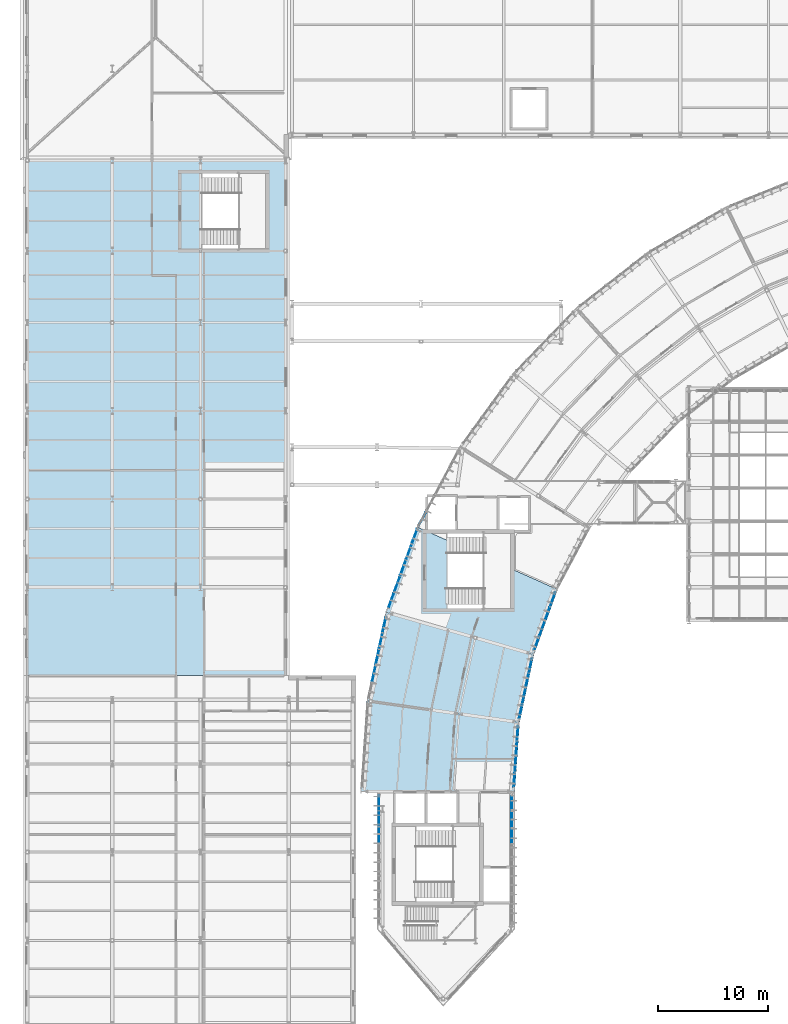
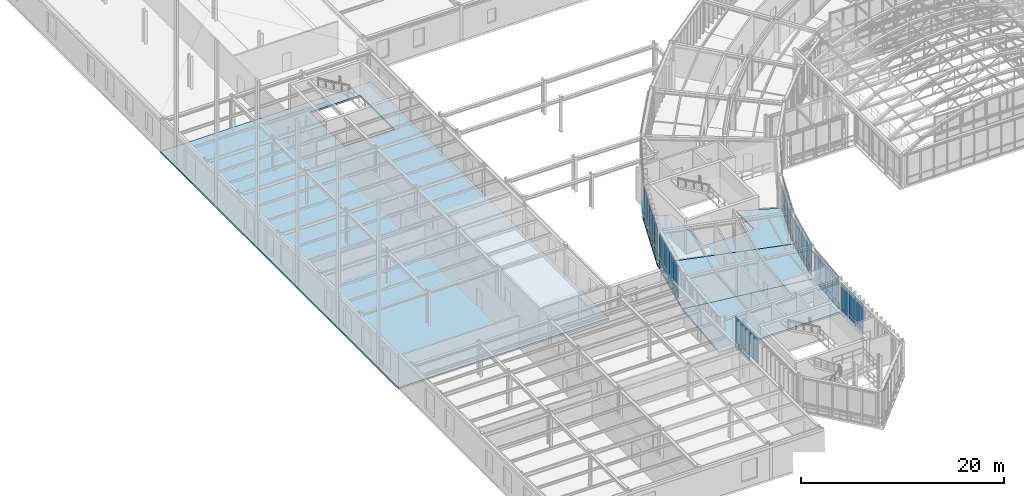
# One storey, part 94 of 148: 54 plates, 4 slabs, 8 elements without a shape of their own.
"""IFC4 building model written with IfcOpenShell, lengths in metres."""

from ifc_helpers import new_model, si_unit, direction, frame, origin, origin_2d, place, context, subcontext, project, spatial, polyline, rectangle, outline, extrude, material, layer, layer_set, type_object, element, aggregate, save


model = new_model("IFC4")

# Units and contexts
model_context = context("Model", 3, precision=1e-05, world=origin(), true_north=direction((0.0, 1.0)))
body_context = subcontext(model_context, "Body", "Model", "MODEL_VIEW")
ifc_project = project(units=[si_unit("LENGTHUNIT", "METRE"), si_unit("AREAUNIT", "SQUARE_METRE"), si_unit("VOLUMEUNIT", "CUBIC_METRE"), si_unit("PLANEANGLEUNIT", "RADIAN"), si_unit("MASSUNIT", "GRAM", prefix="KILO"), si_unit("THERMODYNAMICTEMPERATUREUNIT", "KELVIN"), si_unit("POWERUNIT", "WATT")], contexts=[model_context])

# Site, building, storey
site_placement = place(None, origin())
site = spatial("IfcSite", under=ifc_project, at=site_placement, CompositionType="ELEMENT")
building_placement = place(site_placement, origin())
building = spatial("IfcBuilding", under=site, at=building_placement, Name="Solvatero Civic Police Headquarters", CompositionType="ELEMENT")
storey_placement = place(building_placement, frame((0.0, 0.0, 5.10009765625)))
storey = spatial("IfcBuildingStorey", under=building, at=storey_placement, Name="L01", CompositionType="ELEMENT", Elevation=5.10009765625)

# Curtain wall, plates
ifc_material_1 = material(Name="Anodized Bronze Aluminium", Category="aluminium")
ifc_layer_1 = layer(ifc_material_1, 0.179931640625)
ifc_layer_set_1 = layer_set([ifc_layer_1], Name="Anodized Bronze Aluminium")
curtain_wall_type_1 = type_object("IfcCurtainWallType", Name="CW-ARC-OUT", PredefinedType="USERDEFINED", material=ifc_layer_set_1)
curtain_wall_1_placement = place(storey_placement, origin())
curtain_wall_1 = element("IfcCurtainWall", 1, at=curtain_wall_1_placement, inside=storey, type_object=curtain_wall_type_1, Name="Curtain Wall CW-R2-L01-ARC-OUT-B10", ObjectType="UNITISED", PredefinedType="USERDEFINED")
ifc_material_2 = material(Name="Triple Low-E Laminated Glass", Category="glass")
ifc_layer_2 = layer(ifc_material_2, 0.0380859375)
ifc_layer_set_2 = layer_set([ifc_layer_2], Name="Triple Low-E Laminated Glass")
plate_type_1 = type_object("IfcPlateType", Name="CWP-GLZ-38", PredefinedType="CURTAIN_PANEL", material=ifc_layer_set_2)
plate_1_placement = place(storey_placement, frame((39.390869140625, 47.696533203125, 0.91015625), z_axis=(0.0, 0.0, 1.0), x_axis=(-0.342020143326, -0.939692620786, 0.0)))
plate_1 = element("IfcPlate", 2, at=plate_1_placement, type_object=plate_type_1, Name="CW-R2-L01-ARC-OUT-B10 Vision Glazing 2", PredefinedType="CURTAIN_PANEL", context=body_context, shape_type="SweptSolid", body=[
    extrude(rectangle(XDim=1.377685546875, YDim=0.0380859375, at=origin_2d()), origin(), (0.0, 0.0, 1.0), 2.969970703125),
])
plate_2_placement = place(storey_placement, frame((38.3251953125, 44.76904296875, 0.91015625), z_axis=(0.0, 0.0, 1.0), x_axis=(-0.342020143326, -0.939692620786, 0.0)))
plate_2 = element("IfcPlate", 3, at=plate_2_placement, type_object=plate_type_1, Name="CW-R2-L01-ARC-OUT-B10 Vision Glazing 4", PredefinedType="CURTAIN_PANEL", context=body_context, shape_type="SweptSolid", body=[
    extrude(rectangle(XDim=1.377685546875, YDim=0.0380859375, at=origin_2d()), origin(), (0.0, 0.0, 1.0), 2.969970703125),
])

ifc_layer_3 = layer(ifc_material_1, 0.179931640625)
ifc_layer_set_3 = layer_set([ifc_layer_3], Name="Anodized Bronze Aluminium")
curtain_wall_type_2 = type_object("IfcCurtainWallType", Name="CW-ARC-IN", PredefinedType="USERDEFINED", material=ifc_layer_set_3)
curtain_wall_2_placement = place(storey_placement, origin())
curtain_wall_2 = element("IfcCurtainWall", 4, at=curtain_wall_2_placement, inside=storey, type_object=curtain_wall_type_2, Name="Curtain Wall CW-R2-L01-ARC-IN-B10", ObjectType="UNITISED", PredefinedType="USERDEFINED")
plate_3_placement = place(storey_placement, frame((52.43994140625, 43.41552734375, 0.91015625), z_axis=(0.0, 0.0, 1.0), x_axis=(-0.342020143326, -0.939692620786, 0.0)))
plate_3 = element("IfcPlate", 5, at=plate_3_placement, type_object=plate_type_1, Name="CW-R2-L01-ARC-IN-B10 Vision Glazing 1", PredefinedType="CURTAIN_PANEL", context=body_context, shape_type="SweptSolid", body=[
    extrude(rectangle(XDim=1.2412109375, YDim=0.0380859375, at=origin_2d()), origin(), (0.0, 0.0, 1.0), 2.969970703125),
])
plate_4_placement = place(storey_placement, frame((51.4677734375, 40.744384765625, 0.91015625), z_axis=(0.0, 0.0, 1.0), x_axis=(-0.342020143326, -0.939692620786, 0.0)))
plate_4 = element("IfcPlate", 6, at=plate_4_placement, type_object=plate_type_1, Name="CW-R2-L01-ARC-IN-B10 Vision Glazing 3", PredefinedType="CURTAIN_PANEL", context=body_context, shape_type="SweptSolid", body=[
    extrude(rectangle(XDim=1.2412109375, YDim=0.0380859375, at=origin_2d()), origin(), (0.0, 0.0, 1.0), 2.969970703125),
])

curtain_wall_3_placement = place(storey_placement, origin())
curtain_wall_3 = element("IfcCurtainWall", 7, at=curtain_wall_3_placement, inside=storey, type_object=curtain_wall_type_1, Name="Curtain Wall CW-R2-L01-ARC-OUT-B11", ObjectType="UNITISED", PredefinedType="USERDEFINED")
plate_5_placement = place(storey_placement, frame((36.848876953125, 39.63232421875, 0.91015625), z_axis=(0.0, 0.0, 1.0), x_axis=(-0.207911690818, -0.978147600734, 0.0)))
plate_5 = element("IfcPlate", 8, at=plate_5_placement, type_object=plate_type_1, Name="CW-R2-L01-ARC-OUT-B11 Vision Glazing 2", PredefinedType="CURTAIN_PANEL", context=body_context, shape_type="SweptSolid", body=[
    extrude(rectangle(XDim=1.34619140625, YDim=0.0380859375, at=origin_2d()), origin(), (0.0, 0.0, 1.0), 2.969970703125),
])
plate_6_placement = place(storey_placement, frame((36.21435546875, 36.646728515625, 0.91015625), z_axis=(0.0, 0.0, 1.0), x_axis=(-0.207911690818, -0.978147600734, 0.0)))
plate_6 = element("IfcPlate", 9, at=plate_6_placement, type_object=plate_type_1, Name="CW-R2-L01-ARC-OUT-B11 Vision Glazing 4", PredefinedType="CURTAIN_PANEL", context=body_context, shape_type="SweptSolid", body=[
    extrude(rectangle(XDim=1.34619140625, YDim=0.0380859375, at=origin_2d()), origin(), (0.0, 0.0, 1.0), 2.969970703125),
])

curtain_wall_4_placement = place(storey_placement, origin())
curtain_wall_4 = element("IfcCurtainWall", 10, at=curtain_wall_4_placement, inside=storey, type_object=curtain_wall_type_2, Name="Curtain Wall CW-R2-L01-ARC-IN-B11", ObjectType="UNITISED", PredefinedType="USERDEFINED")
plate_7_placement = place(storey_placement, frame((50.412841796875, 37.4248046875, 0.91015625), z_axis=(0.0, 0.0, 1.0), x_axis=(-0.207911690818, -0.978147600734, 0.0)))
plate_7 = element("IfcPlate", 11, at=plate_7_placement, type_object=plate_type_1, Name="CW-R2-L01-ARC-IN-B11 Vision Glazing 1", PredefinedType="CURTAIN_PANEL", context=body_context, shape_type="SweptSolid", body=[
    extrude(rectangle(XDim=1.2412109375, YDim=0.0380859375, at=origin_2d()), origin(), (0.0, 0.0, 1.0), 2.969970703125),
])
plate_8_placement = place(storey_placement, frame((49.82177734375, 34.64453125, 0.91015625), z_axis=(0.0, 0.0, 1.0), x_axis=(-0.207911690818, -0.978147600734, 0.0)))
plate_8 = element("IfcPlate", 12, at=plate_8_placement, type_object=plate_type_1, Name="CW-R2-L01-ARC-IN-B11 Vision Glazing 3", PredefinedType="CURTAIN_PANEL", context=body_context, shape_type="SweptSolid", body=[
    extrude(rectangle(XDim=1.2412109375, YDim=0.0380859375, at=origin_2d()), origin(), (0.0, 0.0, 1.0), 2.969970703125),
])

curtain_wall_5_placement = place(storey_placement, origin())
curtain_wall_5 = element("IfcCurtainWall", 13, at=curtain_wall_5_placement, inside=storey, type_object=curtain_wall_type_2, Name="Curtain Wall CW-R2-L01-ARC-IN-B12", ObjectType="UNITISED", PredefinedType="USERDEFINED")
plate_9_placement = place(storey_placement, frame((49.24951171875, 31.28662109375, 0.91015625), z_axis=(0.0, 0.0, 1.0), x_axis=(-0.069739062956, -0.997565267588, 0.0)))
plate_9 = element("IfcPlate", 14, at=plate_9_placement, type_object=plate_type_1, Name="CW-R2-L01-ARC-IN-B12 Vision Glazing 1", PredefinedType="CURTAIN_PANEL", context=body_context, shape_type="SweptSolid", body=[
    extrude(rectangle(XDim=1.23876953125, YDim=0.0380859375, at=origin_2d()), origin(), (0.0, 0.0, 1.0), 2.969970703125),
])
plate_10_placement = place(storey_placement, frame((49.0517578125, 28.4560546875, 0.91015625), z_axis=(0.0, 0.0, 1.0), x_axis=(-0.069739062956, -0.997565267588, 0.0)))
plate_10 = element("IfcPlate", 15, at=plate_10_placement, type_object=plate_type_1, Name="CW-R2-L01-ARC-IN-B12 Vision Glazing 3", PredefinedType="CURTAIN_PANEL", context=body_context, shape_type="SweptSolid", body=[
    extrude(rectangle(XDim=1.23876953125, YDim=0.0380859375, at=origin_2d()), origin(), (0.0, 0.0, 1.0), 2.969970703125),
])

# Curtain wall, plate
ifc_layer_4 = layer(ifc_material_1, 0.179931640625)
ifc_layer_set_4 = layer_set([ifc_layer_4], Name="Anodized Bronze Aluminium")
curtain_wall_type_3 = type_object("IfcCurtainWallType", Name="CW-PROW-GLZ", PredefinedType="USERDEFINED", material=ifc_layer_set_4)
curtain_wall_6_placement = place(storey_placement, origin())
curtain_wall_6 = element("IfcCurtainWall", 16, at=curtain_wall_6_placement, inside=storey, type_object=curtain_wall_type_3, Name="Curtain Wall CW-R2-L01-PROW-W", ObjectType="UNITISED", PredefinedType="USERDEFINED")
plate_11_placement = place(storey_placement, frame((36.679931640625, 23.52197265625, 0.91015625), z_axis=(0.0, 0.0, 1.0), x_axis=(0.0, -1.0, 0.0)))
plate_11 = element("IfcPlate", 17, at=plate_11_placement, type_object=plate_type_1, Name="CW-R2-L01-PROW-W Vision Glazing 2", PredefinedType="CURTAIN_PANEL", context=body_context, shape_type="SweptSolid", body=[
    extrude(rectangle(XDim=1.298583984375, YDim=0.0380859375, at=origin_2d()), origin(), (0.0, 0.0, 1.0), 2.969970703125),
])

curtain_wall_7_placement = place(storey_placement, origin())
curtain_wall_7 = element("IfcCurtainWall", 18, at=curtain_wall_7_placement, inside=storey, type_object=curtain_wall_type_3, Name="Curtain Wall CW-R2-L01-PROW-E", ObjectType="UNITISED", PredefinedType="USERDEFINED")
plate_12_placement = place(storey_placement, frame((48.719970703125, 23.44873046875, 0.91015625), z_axis=(0.0, 0.0, 1.0), x_axis=(0.0, 1.0, 0.0)))
plate_12 = element("IfcPlate", 19, at=plate_12_placement, type_object=plate_type_1, Name="CW-R2-L01-PROW-E Vision Glazing 7", PredefinedType="CURTAIN_PANEL", context=body_context, shape_type="SweptSolid", body=[
    extrude(rectangle(XDim=1.28759765625, YDim=0.0380859375, at=origin_2d()), origin(), (0.0, 0.0, 1.0), 2.969970703125),
])

# Plate
ifc_material_3 = material(Name="Acoustic Ballistic Laminated Glass", Category="glass")
ifc_layer_5 = layer(ifc_material_3, 0.0439453125)
ifc_layer_set_5 = layer_set([ifc_layer_5], Name="Acoustic Ballistic Laminated Glass")
plate_type_2 = type_object("IfcPlateType", Name="CWP-GLZ-44", PredefinedType="CURTAIN_PANEL", material=ifc_layer_set_5)
plate_13_placement = place(storey_placement, frame((39.923583984375, 49.160400390625, 0.91015625), z_axis=(0.0, 0.0, 1.0), x_axis=(-0.342020143326, -0.939692620786, 0.0)))
plate_13 = element("IfcPlate", 20, at=plate_13_placement, type_object=plate_type_2, Name="CW-R2-L01-ARC-OUT-B10 Vision Glazing 1", PredefinedType="CURTAIN_PANEL", context=body_context, shape_type="SweptSolid", body=[
    extrude(rectangle(XDim=1.377685546875, YDim=0.0439453125, at=origin_2d()), origin(), (0.0, 0.0, 1.0), 2.969970703125),
])

plate_14_placement = place(storey_placement, frame((38.85791015625, 46.23291015625, 0.91015625), z_axis=(0.0, 0.0, 1.0), x_axis=(-0.342020143326, -0.939692620786, 0.0)))
plate_14 = element("IfcPlate", 21, at=plate_14_placement, type_object=plate_type_2, Name="CW-R2-L01-ARC-OUT-B10 Vision Glazing 3", PredefinedType="CURTAIN_PANEL", context=body_context, shape_type="SweptSolid", body=[
    extrude(rectangle(XDim=1.377685546875, YDim=0.0439453125, at=origin_2d()), origin(), (0.0, 0.0, 1.0), 2.969970703125),
])

plate_15_placement = place(storey_placement, frame((37.79248046875, 43.305419921875, 0.91015625), z_axis=(0.0, 0.0, 1.0), x_axis=(-0.342020143326, -0.939692620786, 0.0)))
plate_15 = element("IfcPlate", 22, at=plate_15_placement, type_object=plate_type_2, Name="CW-R2-L01-ARC-OUT-B10 Vision Glazing 5", PredefinedType="CURTAIN_PANEL", context=body_context, shape_type="SweptSolid", body=[
    extrude(rectangle(XDim=1.377685546875, YDim=0.0439453125, at=origin_2d()), origin(), (0.0, 0.0, 1.0), 2.969970703125),
])

plate_16_placement = place(storey_placement, frame((51.953857421875, 42.080078125, 0.91015625), z_axis=(0.0, 0.0, 1.0), x_axis=(-0.342020143326, -0.939692620786, 0.0)))
plate_16 = element("IfcPlate", 23, at=plate_16_placement, type_object=plate_type_2, Name="CW-R2-L01-ARC-IN-B10 Vision Glazing 2", PredefinedType="CURTAIN_PANEL", context=body_context, shape_type="SweptSolid", body=[
    extrude(rectangle(XDim=1.2412109375, YDim=0.0439453125, at=origin_2d()), origin(), (0.0, 0.0, 1.0), 2.969970703125),
])

plate_17_placement = place(storey_placement, frame((50.981689453125, 39.408935546875, 0.91015625), z_axis=(0.0, 0.0, 1.0), x_axis=(-0.342020143326, -0.939692620786, 0.0)))
plate_17 = element("IfcPlate", 24, at=plate_17_placement, type_object=plate_type_2, Name="CW-R2-L01-ARC-IN-B10 Vision Glazing 4", PredefinedType="CURTAIN_PANEL", context=body_context, shape_type="SweptSolid", body=[
    extrude(rectangle(XDim=1.2412109375, YDim=0.0439453125, at=origin_2d()), origin(), (0.0, 0.0, 1.0), 2.969970703125),
])

plate_18_placement = place(storey_placement, frame((37.166259765625, 41.125, 0.91015625), z_axis=(0.0, 0.0, 1.0), x_axis=(-0.207911690818, -0.978147600734, 0.0)))
plate_18 = element("IfcPlate", 25, at=plate_18_placement, type_object=plate_type_2, Name="CW-R2-L01-ARC-OUT-B11 Vision Glazing 1", PredefinedType="CURTAIN_PANEL", context=body_context, shape_type="SweptSolid", body=[
    extrude(rectangle(XDim=1.34619140625, YDim=0.0439453125, at=origin_2d()), origin(), (0.0, 0.0, 1.0), 2.969970703125),
])

plate_19_placement = place(storey_placement, frame((36.531494140625, 38.1396484375, 0.91015625), z_axis=(0.0, 0.0, 1.0), x_axis=(-0.207911690818, -0.978147600734, 0.0)))
plate_19 = element("IfcPlate", 26, at=plate_19_placement, type_object=plate_type_2, Name="CW-R2-L01-ARC-OUT-B11 Vision Glazing 3", PredefinedType="CURTAIN_PANEL", context=body_context, shape_type="SweptSolid", body=[
    extrude(rectangle(XDim=1.34619140625, YDim=0.0439453125, at=origin_2d()), origin(), (0.0, 0.0, 1.0), 2.969970703125),
])

plate_20_placement = place(storey_placement, frame((50.1171875, 36.03466796875, 0.91015625), z_axis=(0.0, 0.0, 1.0), x_axis=(-0.207911690818, -0.978147600734, 0.0)))
plate_20 = element("IfcPlate", 27, at=plate_20_placement, type_object=plate_type_2, Name="CW-R2-L01-ARC-IN-B11 Vision Glazing 2", PredefinedType="CURTAIN_PANEL", context=body_context, shape_type="SweptSolid", body=[
    extrude(rectangle(XDim=1.2412109375, YDim=0.0439453125, at=origin_2d()), origin(), (0.0, 0.0, 1.0), 2.969970703125),
])

plate_21_placement = place(storey_placement, frame((49.5263671875, 33.25439453125, 0.91015625), z_axis=(0.0, 0.0, 1.0), x_axis=(-0.207911690818, -0.978147600734, 0.0)))
plate_21 = element("IfcPlate", 28, at=plate_21_placement, type_object=plate_type_2, Name="CW-R2-L01-ARC-IN-B11 Vision Glazing 4", PredefinedType="CURTAIN_PANEL", context=body_context, shape_type="SweptSolid", body=[
    extrude(rectangle(XDim=1.2412109375, YDim=0.0439453125, at=origin_2d()), origin(), (0.0, 0.0, 1.0), 2.969970703125),
])

plate_22_placement = place(storey_placement, frame((49.150634765625, 29.871337890625, 0.91015625), z_axis=(0.0, 0.0, 1.0), x_axis=(-0.069739062956, -0.997565267588, 0.0)))
plate_22 = element("IfcPlate", 29, at=plate_22_placement, type_object=plate_type_2, Name="CW-R2-L01-ARC-IN-B12 Vision Glazing 2", PredefinedType="CURTAIN_PANEL", context=body_context, shape_type="SweptSolid", body=[
    extrude(rectangle(XDim=1.23876953125, YDim=0.0439453125, at=origin_2d()), origin(), (0.0, 0.0, 1.0), 2.969970703125),
])

plate_23_placement = place(storey_placement, frame((48.95263671875, 27.040771484375, 0.91015625), z_axis=(0.0, 0.0, 1.0), x_axis=(-0.069739062956, -0.997565267588, 0.0)))
plate_23 = element("IfcPlate", 30, at=plate_23_placement, type_object=plate_type_2, Name="CW-R2-L01-ARC-IN-B12 Vision Glazing 4", PredefinedType="CURTAIN_PANEL", context=body_context, shape_type="SweptSolid", body=[
    extrude(rectangle(XDim=1.23876953125, YDim=0.0439453125, at=origin_2d()), origin(), (0.0, 0.0, 1.0), 2.969970703125),
])

plate_24_placement = place(storey_placement, frame((36.679931640625, 25.00048828125, 0.91015625), z_axis=(0.0, 0.0, 1.0), x_axis=(0.0, -1.0, 0.0)))
plate_24 = element("IfcPlate", 31, at=plate_24_placement, type_object=plate_type_2, Name="CW-R2-L01-PROW-W Vision Glazing 1", PredefinedType="CURTAIN_PANEL", context=body_context, shape_type="SweptSolid", body=[
    extrude(rectangle(XDim=1.298583984375, YDim=0.0439453125, at=origin_2d()), origin(), (0.0, 0.0, 1.0), 2.969970703125),
])

plate_25_placement = place(storey_placement, frame((36.679931640625, 22.043212890625, 0.91015625), z_axis=(0.0, 0.0, 1.0), x_axis=(0.0, -1.0, 0.0)))
plate_25 = element("IfcPlate", 32, at=plate_25_placement, type_object=plate_type_2, Name="CW-R2-L01-PROW-W Vision Glazing 3", PredefinedType="CURTAIN_PANEL", context=body_context, shape_type="SweptSolid", body=[
    extrude(rectangle(XDim=1.298828125, YDim=0.0439453125, at=origin_2d()), origin(), (0.0, 0.0, 1.0), 2.969970703125),
])

plate_26_placement = place(storey_placement, frame((48.719970703125, 21.981201171875, 0.91015625), z_axis=(0.0, 0.0, 1.0), x_axis=(0.0, 1.0, 0.0)))
plate_26 = element("IfcPlate", 33, at=plate_26_placement, type_object=plate_type_2, Name="CW-R2-L01-PROW-E Vision Glazing 6", PredefinedType="CURTAIN_PANEL", context=body_context, shape_type="SweptSolid", body=[
    extrude(rectangle(XDim=1.28759765625, YDim=0.0439453125, at=origin_2d()), origin(), (0.0, 0.0, 1.0), 2.969970703125),
])

plate_27_placement = place(storey_placement, frame((48.719970703125, 24.916259765625, 0.91015625), z_axis=(0.0, 0.0, 1.0), x_axis=(0.0, 1.0, 0.0)))
plate_27 = element("IfcPlate", 34, at=plate_27_placement, type_object=plate_type_2, Name="CW-R2-L01-PROW-E Vision Glazing 8", PredefinedType="CURTAIN_PANEL", context=body_context, shape_type="SweptSolid", body=[
    extrude(rectangle(XDim=1.28759765625, YDim=0.0439453125, at=origin_2d()), origin(), (0.0, 0.0, 1.0), 2.969970703125),
])

ifc_material_4 = material(Name="Insulated Bronze Aluminium Spandrel", Category="aluminium")
ifc_layer_6 = layer(ifc_material_4, 0.06005859375)
ifc_layer_set_6 = layer_set([ifc_layer_6], Name="Insulated Bronze Aluminium Spandrel")
plate_type_3 = type_object("IfcPlateType", Name="CWP-SPN-60", PredefinedType="CURTAIN_PANEL", material=ifc_layer_set_6)
plate_28_placement = place(storey_placement, frame((39.390869140625, 47.696533203125, 0.059814453125), z_axis=(0.0, 0.0, 1.0), x_axis=(-0.342020143326, -0.939692620786, 0.0)))
plate_28 = element("IfcPlate", 35, at=plate_28_placement, type_object=plate_type_3, Name="CW-R2-L01-ARC-OUT-B10 Spandrel Panel 2", PredefinedType="CURTAIN_PANEL", context=body_context, shape_type="SweptSolid", body=[
    extrude(rectangle(XDim=1.377685546875, YDim=0.06005859375, at=origin_2d()), origin(), (0.0, 0.0, 1.0), 0.72998046875),
])

plate_29_placement = place(storey_placement, frame((38.3251953125, 44.76904296875, 0.059814453125), z_axis=(0.0, 0.0, 1.0), x_axis=(-0.342020143326, -0.939692620786, 0.0)))
plate_29 = element("IfcPlate", 36, at=plate_29_placement, type_object=plate_type_3, Name="CW-R2-L01-ARC-OUT-B10 Spandrel Panel 4", PredefinedType="CURTAIN_PANEL", context=body_context, shape_type="SweptSolid", body=[
    extrude(rectangle(XDim=1.377685546875, YDim=0.06005859375, at=origin_2d()), origin(), (0.0, 0.0, 1.0), 0.72998046875),
])

plate_30_placement = place(storey_placement, frame((52.43994140625, 43.41552734375, 0.059814453125), z_axis=(0.0, 0.0, 1.0), x_axis=(-0.342020143326, -0.939692620786, 0.0)))
plate_30 = element("IfcPlate", 37, at=plate_30_placement, type_object=plate_type_3, Name="CW-R2-L01-ARC-IN-B10 Spandrel Panel 1", PredefinedType="CURTAIN_PANEL", context=body_context, shape_type="SweptSolid", body=[
    extrude(rectangle(XDim=1.2412109375, YDim=0.06005859375, at=origin_2d()), origin(), (0.0, 0.0, 1.0), 0.72998046875),
])

plate_31_placement = place(storey_placement, frame((51.4677734375, 40.744384765625, 0.059814453125), z_axis=(0.0, 0.0, 1.0), x_axis=(-0.342020143326, -0.939692620786, 0.0)))
plate_31 = element("IfcPlate", 38, at=plate_31_placement, type_object=plate_type_3, Name="CW-R2-L01-ARC-IN-B10 Spandrel Panel 3", PredefinedType="CURTAIN_PANEL", context=body_context, shape_type="SweptSolid", body=[
    extrude(rectangle(XDim=1.2412109375, YDim=0.06005859375, at=origin_2d()), origin(), (0.0, 0.0, 1.0), 0.72998046875),
])

plate_32_placement = place(storey_placement, frame((36.848876953125, 39.63232421875, 0.059814453125), z_axis=(0.0, 0.0, 1.0), x_axis=(-0.207911690818, -0.978147600734, 0.0)))
plate_32 = element("IfcPlate", 39, at=plate_32_placement, type_object=plate_type_3, Name="CW-R2-L01-ARC-OUT-B11 Spandrel Panel 2", PredefinedType="CURTAIN_PANEL", context=body_context, shape_type="SweptSolid", body=[
    extrude(rectangle(XDim=1.34619140625, YDim=0.06005859375, at=origin_2d()), origin(), (0.0, 0.0, 1.0), 0.72998046875),
])

plate_33_placement = place(storey_placement, frame((36.21435546875, 36.646728515625, 0.059814453125), z_axis=(0.0, 0.0, 1.0), x_axis=(-0.207911690818, -0.978147600734, 0.0)))
plate_33 = element("IfcPlate", 40, at=plate_33_placement, type_object=plate_type_3, Name="CW-R2-L01-ARC-OUT-B11 Spandrel Panel 4", PredefinedType="CURTAIN_PANEL", context=body_context, shape_type="SweptSolid", body=[
    extrude(rectangle(XDim=1.34619140625, YDim=0.06005859375, at=origin_2d()), origin(), (0.0, 0.0, 1.0), 0.72998046875),
])

plate_34_placement = place(storey_placement, frame((50.412841796875, 37.4248046875, 0.059814453125), z_axis=(0.0, 0.0, 1.0), x_axis=(-0.207911690818, -0.978147600734, 0.0)))
plate_34 = element("IfcPlate", 41, at=plate_34_placement, type_object=plate_type_3, Name="CW-R2-L01-ARC-IN-B11 Spandrel Panel 1", PredefinedType="CURTAIN_PANEL", context=body_context, shape_type="SweptSolid", body=[
    extrude(rectangle(XDim=1.2412109375, YDim=0.06005859375, at=origin_2d()), origin(), (0.0, 0.0, 1.0), 0.72998046875),
])

plate_35_placement = place(storey_placement, frame((49.82177734375, 34.64453125, 0.059814453125), z_axis=(0.0, 0.0, 1.0), x_axis=(-0.207911690818, -0.978147600734, 0.0)))
plate_35 = element("IfcPlate", 42, at=plate_35_placement, type_object=plate_type_3, Name="CW-R2-L01-ARC-IN-B11 Spandrel Panel 3", PredefinedType="CURTAIN_PANEL", context=body_context, shape_type="SweptSolid", body=[
    extrude(rectangle(XDim=1.2412109375, YDim=0.06005859375, at=origin_2d()), origin(), (0.0, 0.0, 1.0), 0.72998046875),
])

plate_36_placement = place(storey_placement, frame((49.24951171875, 31.28662109375, 0.059814453125), z_axis=(0.0, 0.0, 1.0), x_axis=(-0.069739062956, -0.997565267588, 0.0)))
plate_36 = element("IfcPlate", 43, at=plate_36_placement, type_object=plate_type_3, Name="CW-R2-L01-ARC-IN-B12 Spandrel Panel 1", PredefinedType="CURTAIN_PANEL", context=body_context, shape_type="SweptSolid", body=[
    extrude(rectangle(XDim=1.23876953125, YDim=0.06005859375, at=origin_2d()), origin(), (0.0, 0.0, 1.0), 0.72998046875),
])

plate_37_placement = place(storey_placement, frame((49.0517578125, 28.4560546875, 0.059814453125), z_axis=(0.0, 0.0, 1.0), x_axis=(-0.069739062956, -0.997565267588, 0.0)))
plate_37 = element("IfcPlate", 44, at=plate_37_placement, type_object=plate_type_3, Name="CW-R2-L01-ARC-IN-B12 Spandrel Panel 3", PredefinedType="CURTAIN_PANEL", context=body_context, shape_type="SweptSolid", body=[
    extrude(rectangle(XDim=1.23876953125, YDim=0.06005859375, at=origin_2d()), origin(), (0.0, 0.0, 1.0), 0.72998046875),
])

plate_38_placement = place(storey_placement, frame((36.679931640625, 23.52197265625, 0.059814453125), z_axis=(0.0, 0.0, 1.0), x_axis=(0.0, -1.0, 0.0)))
plate_38 = element("IfcPlate", 45, at=plate_38_placement, type_object=plate_type_3, Name="CW-R2-L01-PROW-W Spandrel Panel 2", PredefinedType="CURTAIN_PANEL", context=body_context, shape_type="SweptSolid", body=[
    extrude(rectangle(XDim=1.298583984375, YDim=0.06005859375, at=origin_2d()), origin(), (0.0, 0.0, 1.0), 0.72998046875),
])

plate_39_placement = place(storey_placement, frame((48.719970703125, 23.44873046875, 0.059814453125), z_axis=(0.0, 0.0, 1.0), x_axis=(0.0, 1.0, 0.0)))
plate_39 = element("IfcPlate", 46, at=plate_39_placement, type_object=plate_type_3, Name="CW-R2-L01-PROW-E Spandrel Panel 7", PredefinedType="CURTAIN_PANEL", context=body_context, shape_type="SweptSolid", body=[
    extrude(rectangle(XDim=1.28759765625, YDim=0.06005859375, at=origin_2d()), origin(), (0.0, 0.0, 1.0), 0.72998046875),
])

# Curtain wall, plate
curtain_wall_8_placement = place(storey_placement, origin())
curtain_wall_8 = element("IfcCurtainWall", 47, at=curtain_wall_8_placement, inside=storey, type_object=curtain_wall_type_1, Name="Curtain Wall CW-R2-L01-ARC-OUT-B09", ObjectType="UNITISED", PredefinedType="USERDEFINED")
ifc_material_5 = material(Name="Limestone Veneer Spandrel Panel", Category="masonry")
ifc_layer_7 = layer(ifc_material_5, 0.074951171875)
ifc_layer_set_7 = layer_set([ifc_layer_7], Name="Limestone Veneer Spandrel Panel")
plate_type_4 = type_object("IfcPlateType", Name="CWP-SPN-75", PredefinedType="CURTAIN_PANEL", material=ifc_layer_set_7)
plate_40_placement = place(storey_placement, frame((40.604248046875, 50.689453125, 0.059814453125), z_axis=(0.0, 0.0, 1.0), x_axis=(-0.469471562786, -0.882947592859, 0.0)))
plate_40 = element("IfcPlate", 48, at=plate_40_placement, type_object=plate_type_4, Name="CW-R2-L01-ARC-OUT-B09 Spandrel Panel 5", PredefinedType="CURTAIN_PANEL", context=body_context, shape_type="SweptSolid", body=[
    extrude(rectangle(XDim=1.377685546875, YDim=0.074951171875, at=origin_2d()), origin(), (0.0, 0.0, 1.0), 0.72998046875),
])
aggregate(curtain_wall_8, [plate_40])

# Plate
plate_41_placement = place(storey_placement, frame((39.923583984375, 49.160400390625, 0.059814453125), z_axis=(0.0, 0.0, 1.0), x_axis=(-0.342020143326, -0.939692620786, 0.0)))
plate_41 = element("IfcPlate", 49, at=plate_41_placement, type_object=plate_type_4, Name="CW-R2-L01-ARC-OUT-B10 Spandrel Panel 1", PredefinedType="CURTAIN_PANEL", context=body_context, shape_type="SweptSolid", body=[
    extrude(rectangle(XDim=1.377685546875, YDim=0.074951171875, at=origin_2d()), origin(), (0.0, 0.0, 1.0), 0.72998046875),
])

plate_42_placement = place(storey_placement, frame((38.85791015625, 46.23291015625, 0.059814453125), z_axis=(0.0, 0.0, 1.0), x_axis=(-0.342020143326, -0.939692620786, 0.0)))
plate_42 = element("IfcPlate", 50, at=plate_42_placement, type_object=plate_type_4, Name="CW-R2-L01-ARC-OUT-B10 Spandrel Panel 3", PredefinedType="CURTAIN_PANEL", context=body_context, shape_type="SweptSolid", body=[
    extrude(rectangle(XDim=1.377685546875, YDim=0.074951171875, at=origin_2d()), origin(), (0.0, 0.0, 1.0), 0.72998046875),
])

plate_43_placement = place(storey_placement, frame((37.79248046875, 43.305419921875, 0.059814453125), z_axis=(0.0, 0.0, 1.0), x_axis=(-0.342020143326, -0.939692620786, 0.0)))
plate_43 = element("IfcPlate", 51, at=plate_43_placement, type_object=plate_type_4, Name="CW-R2-L01-ARC-OUT-B10 Spandrel Panel 5", PredefinedType="CURTAIN_PANEL", context=body_context, shape_type="SweptSolid", body=[
    extrude(rectangle(XDim=1.377685546875, YDim=0.074951171875, at=origin_2d()), origin(), (0.0, 0.0, 1.0), 0.72998046875),
])

aggregate(curtain_wall_1, [plate_41, plate_13, plate_28, plate_1, plate_42, plate_14, plate_29, plate_2, plate_43, plate_15])

plate_44_placement = place(storey_placement, frame((51.953857421875, 42.080078125, 0.059814453125), z_axis=(0.0, 0.0, 1.0), x_axis=(-0.342020143326, -0.939692620786, 0.0)))
plate_44 = element("IfcPlate", 52, at=plate_44_placement, type_object=plate_type_4, Name="CW-R2-L01-ARC-IN-B10 Spandrel Panel 2", PredefinedType="CURTAIN_PANEL", context=body_context, shape_type="SweptSolid", body=[
    extrude(rectangle(XDim=1.2412109375, YDim=0.074951171875, at=origin_2d()), origin(), (0.0, 0.0, 1.0), 0.72998046875),
])

plate_45_placement = place(storey_placement, frame((50.981689453125, 39.408935546875, 0.059814453125), z_axis=(0.0, 0.0, 1.0), x_axis=(-0.342020143326, -0.939692620786, 0.0)))
plate_45 = element("IfcPlate", 53, at=plate_45_placement, type_object=plate_type_4, Name="CW-R2-L01-ARC-IN-B10 Spandrel Panel 4", PredefinedType="CURTAIN_PANEL", context=body_context, shape_type="SweptSolid", body=[
    extrude(rectangle(XDim=1.2412109375, YDim=0.074951171875, at=origin_2d()), origin(), (0.0, 0.0, 1.0), 0.72998046875),
])

aggregate(curtain_wall_2, [plate_30, plate_3, plate_44, plate_16, plate_31, plate_4, plate_45, plate_17])

plate_46_placement = place(storey_placement, frame((37.166259765625, 41.125, 0.059814453125), z_axis=(0.0, 0.0, 1.0), x_axis=(-0.207911690818, -0.978147600734, 0.0)))
plate_46 = element("IfcPlate", 54, at=plate_46_placement, type_object=plate_type_4, Name="CW-R2-L01-ARC-OUT-B11 Spandrel Panel 1", PredefinedType="CURTAIN_PANEL", context=body_context, shape_type="SweptSolid", body=[
    extrude(rectangle(XDim=1.34619140625, YDim=0.074951171875, at=origin_2d()), origin(), (0.0, 0.0, 1.0), 0.72998046875),
])

plate_47_placement = place(storey_placement, frame((36.531494140625, 38.1396484375, 0.059814453125), z_axis=(0.0, 0.0, 1.0), x_axis=(-0.207911690818, -0.978147600734, 0.0)))
plate_47 = element("IfcPlate", 55, at=plate_47_placement, type_object=plate_type_4, Name="CW-R2-L01-ARC-OUT-B11 Spandrel Panel 3", PredefinedType="CURTAIN_PANEL", context=body_context, shape_type="SweptSolid", body=[
    extrude(rectangle(XDim=1.34619140625, YDim=0.074951171875, at=origin_2d()), origin(), (0.0, 0.0, 1.0), 0.72998046875),
])

aggregate(curtain_wall_3, [plate_46, plate_18, plate_32, plate_5, plate_47, plate_19, plate_33, plate_6])

plate_48_placement = place(storey_placement, frame((50.1171875, 36.03466796875, 0.059814453125), z_axis=(0.0, 0.0, 1.0), x_axis=(-0.207911690818, -0.978147600734, 0.0)))
plate_48 = element("IfcPlate", 56, at=plate_48_placement, type_object=plate_type_4, Name="CW-R2-L01-ARC-IN-B11 Spandrel Panel 2", PredefinedType="CURTAIN_PANEL", context=body_context, shape_type="SweptSolid", body=[
    extrude(rectangle(XDim=1.2412109375, YDim=0.074951171875, at=origin_2d()), origin(), (0.0, 0.0, 1.0), 0.72998046875),
])

plate_49_placement = place(storey_placement, frame((49.5263671875, 33.25439453125, 0.059814453125), z_axis=(0.0, 0.0, 1.0), x_axis=(-0.207911690818, -0.978147600734, 0.0)))
plate_49 = element("IfcPlate", 57, at=plate_49_placement, type_object=plate_type_4, Name="CW-R2-L01-ARC-IN-B11 Spandrel Panel 4", PredefinedType="CURTAIN_PANEL", context=body_context, shape_type="SweptSolid", body=[
    extrude(rectangle(XDim=1.2412109375, YDim=0.074951171875, at=origin_2d()), origin(), (0.0, 0.0, 1.0), 0.72998046875),
])

aggregate(curtain_wall_4, [plate_34, plate_7, plate_48, plate_20, plate_35, plate_8, plate_49, plate_21])

plate_50_placement = place(storey_placement, frame((49.150634765625, 29.871337890625, 0.059814453125), z_axis=(0.0, 0.0, 1.0), x_axis=(-0.069739062956, -0.997565267588, 0.0)))
plate_50 = element("IfcPlate", 58, at=plate_50_placement, type_object=plate_type_4, Name="CW-R2-L01-ARC-IN-B12 Spandrel Panel 2", PredefinedType="CURTAIN_PANEL", context=body_context, shape_type="SweptSolid", body=[
    extrude(rectangle(XDim=1.23876953125, YDim=0.074951171875, at=origin_2d()), origin(), (0.0, 0.0, 1.0), 0.72998046875),
])

plate_51_placement = place(storey_placement, frame((48.95263671875, 27.040771484375, 0.059814453125), z_axis=(0.0, 0.0, 1.0), x_axis=(-0.069739062956, -0.997565267588, 0.0)))
plate_51 = element("IfcPlate", 59, at=plate_51_placement, type_object=plate_type_4, Name="CW-R2-L01-ARC-IN-B12 Spandrel Panel 4", PredefinedType="CURTAIN_PANEL", context=body_context, shape_type="SweptSolid", body=[
    extrude(rectangle(XDim=1.23876953125, YDim=0.074951171875, at=origin_2d()), origin(), (0.0, 0.0, 1.0), 0.72998046875),
])

aggregate(curtain_wall_5, [plate_36, plate_9, plate_50, plate_22, plate_37, plate_10, plate_51, plate_23])

plate_52_placement = place(storey_placement, frame((36.679931640625, 25.00048828125, 0.059814453125), z_axis=(0.0, 0.0, 1.0), x_axis=(0.0, -1.0, 0.0)))
plate_52 = element("IfcPlate", 60, at=plate_52_placement, type_object=plate_type_4, Name="CW-R2-L01-PROW-W Spandrel Panel 1", PredefinedType="CURTAIN_PANEL", context=body_context, shape_type="SweptSolid", body=[
    extrude(rectangle(XDim=1.298583984375, YDim=0.074951171875, at=origin_2d()), origin(), (0.0, 0.0, 1.0), 0.72998046875),
])

aggregate(curtain_wall_6, [plate_52, plate_24, plate_38, plate_11, plate_25])

plate_53_placement = place(storey_placement, frame((48.719970703125, 21.981201171875, 0.059814453125), z_axis=(0.0, 0.0, 1.0), x_axis=(0.0, 1.0, 0.0)))
plate_53 = element("IfcPlate", 61, at=plate_53_placement, type_object=plate_type_4, Name="CW-R2-L01-PROW-E Spandrel Panel 6", PredefinedType="CURTAIN_PANEL", context=body_context, shape_type="SweptSolid", body=[
    extrude(rectangle(XDim=1.28759765625, YDim=0.074951171875, at=origin_2d()), origin(), (0.0, 0.0, 1.0), 0.72998046875),
])

plate_54_placement = place(storey_placement, frame((48.719970703125, 24.916259765625, 0.059814453125), z_axis=(0.0, 0.0, 1.0), x_axis=(0.0, 1.0, 0.0)))
plate_54 = element("IfcPlate", 62, at=plate_54_placement, type_object=plate_type_4, Name="CW-R2-L01-PROW-E Spandrel Panel 8", PredefinedType="CURTAIN_PANEL", context=body_context, shape_type="SweptSolid", body=[
    extrude(rectangle(XDim=1.28759765625, YDim=0.074951171875, at=origin_2d()), origin(), (0.0, 0.0, 1.0), 0.72998046875),
])

aggregate(curtain_wall_7, [plate_53, plate_26, plate_39, plate_12, plate_54, plate_27])

# Slabs
ifc_material_6 = material(Name="Concrete C35/45", Category="concrete")
ifc_layer_8 = layer(ifc_material_6, 0.199951171875)
ifc_layer_set_8 = layer_set([ifc_layer_8], Name="Concrete C35/45")
slab_type_1 = type_object("IfcSlabType", Name="SLB-COMP-200", PredefinedType="FLOOR", material=ifc_layer_set_8)
slab_1_placement = place(storey_placement, frame((0.0, 0.0, -0.22021484375)))
element("IfcSlab", 63, at=slab_1_placement, inside=storey, type_object=slab_type_1, Name="L01 Operations Arc Floor Slab Bay 10", PredefinedType="FLOOR", context=body_context, shape_type="SweptSolid", body=[
    extrude(outline(polyline([(37.28564453125, 42.2626953125), (40.10009765625, 49.99560546875), (42.860107421875, 48.766845703125), (42.860107421875, 42.60009765625), (48.60009765625, 42.60009765625), (48.60009765625, 46.211181640625), (52.889892578125, 44.30126953125), (50.7431640625, 38.40380859375), (37.28564453125, 42.2626953125)])), origin(), (0.0, 0.0, 1.0), 0.22021484375),
])
slab_2_placement = place(storey_placement, frame((0.0, 0.0, -0.22021484375)))
element("IfcSlab", 64, at=slab_2_placement, inside=storey, type_object=slab_type_1, Name="L01 Operations Arc Floor Slab Bay 11", PredefinedType="FLOOR", context=body_context, shape_type="SweptSolid", body=[
    extrude(outline(polyline([(37.28515625, 42.260498046875), (50.742919921875, 38.401611328125), (49.43798828125, 32.2626953125), (35.57421875, 34.211181640625), (37.28515625, 42.260498046875)])), origin(), (0.0, 0.0, 1.0), 0.22021484375),
])
slab_3_placement = place(storey_placement, frame((0.0, 0.0, -0.22021484375)))
element("IfcSlab", 65, at=slab_3_placement, inside=storey, type_object=slab_type_1, Name="L01 Operations Arc Floor Slab Bay 12", PredefinedType="FLOOR", context=body_context, shape_type="SweptSolid", body=[
    extrude(outline(polyline([(35.57421875, 34.209228515625), (49.437744140625, 32.2607421875), (49.0, 26.001953125), (36.498046875, 26.001953125), (36.498046875, 26.0), (35.0, 26.0), (35.57421875, 34.209228515625)])), origin(), (0.0, 0.0, 1.0), 0.22021484375),
])
ifc_layer_9 = layer(ifc_material_6, 0.219970703125)
ifc_layer_set_9 = layer_set([ifc_layer_9], Name="Concrete C35/45")
slab_type_2 = type_object("IfcSlabType", Name="SLB-COMP-220", PredefinedType="FLOOR", material=ifc_layer_set_9)
slab_4_placement = place(storey_placement, frame((0.0, 0.0, -0.22021484375)))
element("IfcSlab", 66, at=slab_4_placement, inside=storey, type_object=slab_type_2, Name="L01 Suspended floor slab SLB-L01-V6", PredefinedType="FLOOR", context=body_context, shape_type="SweptSolid", body=[
    extrude(outline(polyline([(4.5, 83.5), (28.5, 83.5), (28.5, 36.501953125), (4.5, 36.501953125), (4.5, 83.5)]), holes=[polyline([(26.39990234375, 75.199951171875), (26.39990234375, 82.0), (20.659912109375, 82.0), (20.659912109375, 75.199951171875), (26.39990234375, 75.199951171875)])]), origin(), (0.0, 0.0, 1.0), 0.22021484375),
])

save(model, "model.ifc")
